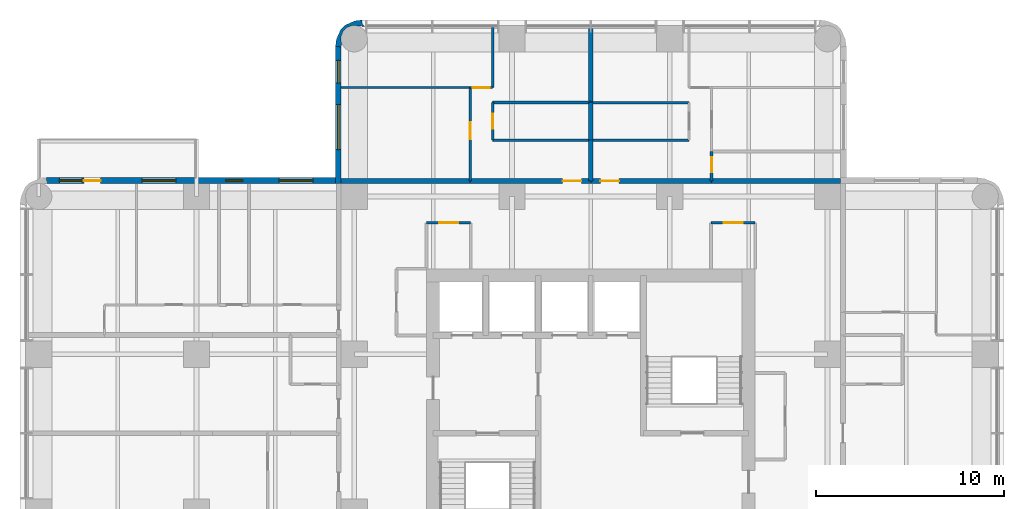
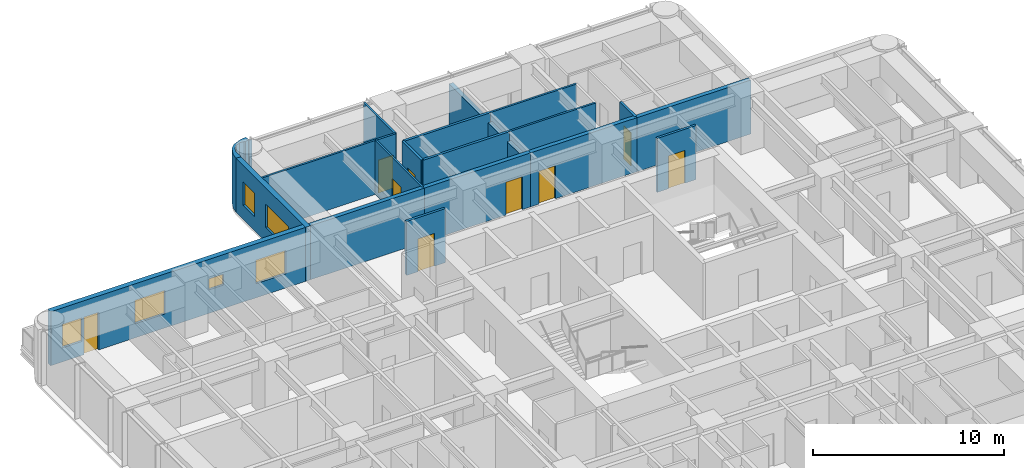
# One storey, part 9 of 11: 22 walls, 9 doors, 6 windows, 15 openings.
"""IFC4 building model written with IfcOpenShell, lengths in metres."""

from ifc_helpers import new_model, si_unit, direction, frame, frame_2d, origin, place, context, subcontext, project, spatial, polyline, rectangle, outline, extrude, material, layer, layer_set, type_object, element, fill, save


model = new_model("IFC4")

# Units and contexts
model_context = context("Model", 3, precision=1e-05, world=origin(), true_north=direction((0.0, 1.0)))
body_context = subcontext(model_context, "Body", "Model", "MODEL_VIEW")
ifc_project = project(units=[si_unit("LENGTHUNIT", "METRE"), si_unit("AREAUNIT", "SQUARE_METRE"), si_unit("VOLUMEUNIT", "CUBIC_METRE"), si_unit("PLANEANGLEUNIT", "RADIAN"), si_unit("MASSUNIT", "GRAM", prefix="KILO")], contexts=[model_context])

# Site, building, storey
site_placement = place(None, origin())
site = spatial("IfcSite", under=ifc_project, at=site_placement, CompositionType="ELEMENT")
building_placement = place(site_placement, origin())
building = spatial("IfcBuilding", under=site, at=building_placement, Name="Torre Alcanfor", CompositionType="ELEMENT")
storey_placement = place(building_placement, frame((0.0, 0.0, 233.699951171875)))
storey = spatial("IfcBuildingStorey", under=building, at=storey_placement, Name="L61", CompositionType="ELEMENT", Elevation=233.699951171875)

# Wall, opening, door
ifc_material_1 = material(Name="Concrete block masonry, hollow blocks NMX-C-404 9 MPa", Category="masonry")
ifc_layer_1 = layer(ifc_material_1, 0.25)
ifc_layer_set_1 = layer_set([ifc_layer_1], Name="Apartment entrance wall 250 EI 60")
wall_type_1 = type_object("IfcWallType", Name="Apartment entrance wall 250 EI 60", PredefinedType="PARTITIONING", material=ifc_layer_set_1)
wall_1_placement = place(storey_placement, frame((22.970947265625, 42.824951171875, 0.0), z_axis=(0.0, 0.0, 1.0), x_axis=(1.0, 0.0, 0.0)))
wall_1 = element("IfcWall", 1, at=wall_1_placement, inside=storey, type_object=wall_type_1, Name="Partition L61-CORR / L61-N1-LIVING", PredefinedType="PARTITIONING", context=body_context, shape_type="SweptSolid", body=[
    extrude(rectangle(XDim=6.428955078125, YDim=0.25, at=frame_2d((3.21435546875, 0.0))), origin(), (0.0, 0.0, 1.0), 3.449951171875),
])
opening_1_placement = place(wall_1_placement, frame((4.928955078125, 0.0, 0.0)))
opening_1 = element("IfcOpeningElement", 2, at=opening_1_placement, cuts=wall_1, Name="Opening D-A1", PredefinedType="OPENING", context=body_context, shape_type="SweptSolid", body=[
    extrude(rectangle(XDim=1.0, YDim=2.10009765625, at=frame_2d((0.5, 1.050048828125))), frame((0.0, 0.135009765625, 0.0), z_axis=(0.0, -1.0, 0.0), x_axis=(1.0, 0.0, 0.0)), (0.0, 0.0, 1.0), 0.27001953125),
])
ifc_material_2 = material(Name="Galvanised steel sheet ASTM A653", Category="steel")
door_type_1 = type_object("IfcDoorType", Name="Apartment entrance door FD60 1000x2100", OperationType="SINGLE_SWING_LEFT", PredefinedType="DOOR", material=ifc_material_2)
door_1_placement = place(opening_1_placement, origin())
door_1 = element("IfcDoor", 3, at=door_1_placement, inside=storey, type_object=door_type_1, Name="Apartment entrance L61-N1", OperationType="SINGLE_SWING_RIGHT", OverallHeight=2.10009765625, OverallWidth=1.0, PredefinedType="DOOR", context=body_context, shape_type="SweptSolid", body=[
    extrude(rectangle(XDim=1.0, YDim=2.10009765625, at=frame_2d((0.5, 1.050048828125))), frame((0.0, 0.02490234375, 0.0), z_axis=(0.0, -1.0, 0.0), x_axis=(1.0, 0.0, 0.0)), (0.0, 0.0, 1.0), 0.050048828125),
])
fill(opening_1, door_1)

# Wall
wall_2_placement = place(storey_placement, frame((16.10009765625, 42.824951171875, 0.0), z_axis=(0.0, 0.0, 1.0), x_axis=(1.0, 0.0, 0.0)))
element("IfcWall", 4, at=wall_2_placement, inside=storey, type_object=wall_type_1, Name="Partition L61-CORR / L61-N1-BED2", PredefinedType="PARTITIONING", context=body_context, shape_type="SweptSolid", body=[
    extrude(rectangle(XDim=6.870849609375, YDim=0.25, at=frame_2d((3.435546875, 0.0))), origin(), (0.0, 0.0, 1.0), 3.449951171875),
])

# Wall, opening, door
wall_3_placement = place(storey_placement, frame((29.39990234375, 42.824951171875, 0.0), z_axis=(0.0, 0.0, 1.0), x_axis=(1.0, 0.0, 0.0)))
wall_3 = element("IfcWall", 5, at=wall_3_placement, inside=storey, type_object=wall_type_1, Name="Partition L61-CORR / L61-N2-LIVING", PredefinedType="PARTITIONING", context=body_context, shape_type="SweptSolid", body=[
    extrude(rectangle(XDim=6.42919921875, YDim=0.25, at=frame_2d((3.214599609375, 0.0))), origin(), (0.0, 0.0, 1.0), 3.449951171875),
])
opening_2_placement = place(wall_3_placement, frame((0.5, 0.0, 0.0)))
opening_2 = element("IfcOpeningElement", 6, at=opening_2_placement, cuts=wall_3, Name="Opening D-A1", PredefinedType="OPENING", context=body_context, shape_type="SweptSolid", body=[
    extrude(rectangle(XDim=1.0, YDim=2.10009765625, at=frame_2d((0.5, 1.050048828125))), frame((0.0, 0.135009765625, 0.0), z_axis=(0.0, -1.0, 0.0), x_axis=(1.0, 0.0, 0.0)), (0.0, 0.0, 1.0), 0.27001953125),
])
door_2_placement = place(opening_2_placement, origin())
door_2 = element("IfcDoor", 7, at=door_2_placement, inside=storey, type_object=door_type_1, Name="Apartment entrance L61-N2", OperationType="SINGLE_SWING_LEFT", OverallHeight=2.10009765625, OverallWidth=1.0, PredefinedType="DOOR", context=body_context, shape_type="SweptSolid", body=[
    extrude(rectangle(XDim=1.0, YDim=2.10009765625, at=frame_2d((0.5, 1.050048828125))), frame((0.0, 0.02490234375, 0.0), z_axis=(0.0, -1.0, 0.0), x_axis=(1.0, 0.0, 0.0)), (0.0, 0.0, 1.0), 0.050048828125),
])
fill(opening_2, door_2)

# Wall
wall_4_placement = place(storey_placement, frame((35.8291015625, 42.824951171875, 0.0), z_axis=(0.0, 0.0, 1.0), x_axis=(1.0, 0.0, 0.0)))
element("IfcWall", 8, at=wall_4_placement, inside=storey, type_object=wall_type_1, Name="Partition L61-CORR / L61-N2-BATH", PredefinedType="PARTITIONING", context=body_context, shape_type="SweptSolid", body=[
    extrude(rectangle(XDim=6.870849609375, YDim=0.25, at=frame_2d((3.435546875, 0.0))), origin(), (0.0, 0.0, 1.0), 3.449951171875),
])

# Wall, opening, door
ifc_material_3 = material(Name="Gypsum board on steel studs", Category="steel")
ifc_layer_2 = layer(ifc_material_3, 0.1201171875)
ifc_layer_set_2 = layer_set([ifc_layer_2], Name="Apartment partition 120")
wall_type_2 = type_object("IfcWallType", Name="Apartment partition 120", PredefinedType="PARTITIONING", material=ifc_layer_set_2)
wall_5_placement = place(storey_placement, frame((22.970947265625, 42.824951171875, 0.0), z_axis=(0.0, 0.0, 1.0), x_axis=(0.0, 1.0, 0.0)))
wall_5 = element("IfcWall", 9, at=wall_5_placement, inside=storey, type_object=wall_type_2, Name="Partition L61-N1-LIVING / L61-N1-BED2", PredefinedType="PARTITIONING", context=body_context, shape_type="SweptSolid", body=[
    extrude(rectangle(XDim=4.97509765625, YDim=0.1201171875, at=frame_2d((2.487548828125, 0.0))), origin(), (0.0, 0.0, 1.0), 3.449951171875),
])
opening_3_placement = place(wall_5_placement, frame((2.22509765625, 0.0, 0.0)))
opening_3 = element("IfcOpeningElement", 10, at=opening_3_placement, cuts=wall_5, Name="Opening D-R1", PredefinedType="OPENING", context=body_context, shape_type="SweptSolid", body=[
    extrude(rectangle(XDim=0.89990234375, YDim=2.10009765625, at=frame_2d((0.449951171875, 1.050048828125))), frame((0.0, 0.070068359375, 0.0), z_axis=(0.0, -1.0, 0.0), x_axis=(1.0, 0.0, 0.0)), (0.0, 0.0, 1.0), 0.14013671875),
])
ifc_material_4 = material(Name="Timber", Category="wood")
door_type_2 = type_object("IfcDoorType", Name="Internal door 900x2100", OperationType="SINGLE_SWING_LEFT", PredefinedType="DOOR", material=ifc_material_4)
door_3_placement = place(opening_3_placement, origin())
door_3 = element("IfcDoor", 11, at=door_3_placement, inside=storey, type_object=door_type_2, Name="Door L61-N1 bed2", OperationType="SINGLE_SWING_RIGHT", OverallHeight=2.10009765625, OverallWidth=0.89990234375, PredefinedType="DOOR", context=body_context, shape_type="SweptSolid", body=[
    extrude(rectangle(XDim=0.89990234375, YDim=2.10009765625, at=frame_2d((0.449951171875, 1.050048828125))), frame((0.0, 0.02490234375, 0.0), z_axis=(0.0, -1.0, 0.0), x_axis=(1.0, 0.0, 0.0)), (0.0, 0.0, 1.0), 0.050048828125),
])
fill(opening_3, door_3)

wall_6_placement = place(storey_placement, frame((22.970947265625, 47.800048828125, 0.0), z_axis=(0.0, 0.0, 1.0), x_axis=(1.0, 0.0, 0.0)))
wall_6 = element("IfcWall", 12, at=wall_6_placement, inside=storey, type_object=wall_type_2, Name="Partition L61-N1-LIVING / L61-N1-MASTER", PredefinedType="PARTITIONING", context=body_context, shape_type="SweptSolid", body=[
    extrude(rectangle(XDim=1.199951171875, YDim=0.1201171875, at=frame_2d((0.60009765625, 0.0))), origin(), (0.0, 0.0, 1.0), 3.449951171875),
])
opening_4_placement = place(wall_6_placement, frame((0.14892578125, 0.0, 0.0)))
opening_4 = element("IfcOpeningElement", 13, at=opening_4_placement, cuts=wall_6, Name="Opening D-R1", PredefinedType="OPENING", context=body_context, shape_type="SweptSolid", body=[
    extrude(rectangle(XDim=0.89990234375, YDim=2.10009765625, at=frame_2d((0.449951171875, 1.050048828125))), frame((0.0, 0.070068359375, 0.0), z_axis=(0.0, -1.0, 0.0), x_axis=(1.0, 0.0, 0.0)), (0.0, 0.0, 1.0), 0.14013671875),
])
door_4_placement = place(opening_4_placement, origin())
door_4 = element("IfcDoor", 14, at=door_4_placement, inside=storey, type_object=door_type_2, Name="Door L61-N1 master", OperationType="SINGLE_SWING_RIGHT", OverallHeight=2.10009765625, OverallWidth=0.89990234375, PredefinedType="DOOR", context=body_context, shape_type="SweptSolid", body=[
    extrude(rectangle(XDim=0.89990234375, YDim=2.10009765625, at=frame_2d((0.449951171875, 1.050048828125))), frame((0.0, 0.02490234375, 0.0), z_axis=(0.0, -1.0, 0.0), x_axis=(1.0, 0.0, 0.0)), (0.0, 0.0, 1.0), 0.050048828125),
])
fill(opening_4, door_4)

# Walls
wall_7_placement = place(storey_placement, frame((24.1708984375, 47.800048828125, 0.0), z_axis=(0.0, 0.0, 1.0), x_axis=(0.0, 1.0, 0.0)))
element("IfcWall", 15, at=wall_7_placement, inside=storey, type_object=wall_type_2, Name="Partition L61-N1-LIVING / L61-N1-MASTER", PredefinedType="PARTITIONING", context=body_context, shape_type="SweptSolid", body=[
    extrude(rectangle(XDim=3.25, YDim=0.1201171875, at=frame_2d((1.625, 0.0))), origin(), (0.0, 0.0, 1.0), 3.449951171875),
])
wall_8_placement = place(storey_placement, frame((22.970947265625, 47.800048828125, 0.0), z_axis=(0.0, 0.0, 1.0), x_axis=(-1.0, 0.0, 0.0)))
element("IfcWall", 16, at=wall_8_placement, inside=storey, type_object=wall_type_2, Name="Partition L61-N1-BED2 / L61-N1-MASTER", PredefinedType="PARTITIONING", context=body_context, shape_type="SweptSolid", body=[
    extrude(rectangle(XDim=6.870849609375, YDim=0.1201171875, at=frame_2d((3.435546875, 0.0))), origin(), (0.0, 0.0, 1.0), 3.449951171875),
])
for number, where, z_axis, x_axis, name in (
    (17, (29.39990234375, 47.0, 0.0), (0.0, 0.0, 1.0), (1.0, 0.0, 0.0), "Partition L61-N2-KITCHEN / L61-N2-LIVING"),
    (18, (34.62890625, 45.0, 0.0), (0.0, 0.0, 1.0), (-1.0, 0.0, 0.0), "Partition L61-N2-KITCHEN / L61-N2-LIVING"),
):
    element("IfcWall", number, at=place(storey_placement, frame(where, z_axis=z_axis, x_axis=x_axis)), inside=storey, type_object=wall_type_2, Name=name, PredefinedType="PARTITIONING", context=body_context, shape_type="SweptSolid", body=[
        extrude(rectangle(XDim=5.22900390625, YDim=0.1201171875, at=frame_2d((2.614501953125, 0.0))), origin(), (0.0, 0.0, 1.0), 3.449951171875),
    ])

# Wall, openings, door, windows
ifc_material_5 = material(Name="Limestone cladding", Category="masonry")
ifc_layer_3 = layer(ifc_material_5, 0.0400390625, Name="Facing")
ifc_material_6 = material(Name="Ventilated air cavity")
ifc_layer_4 = layer(ifc_material_6, 0.02001953125, ventilated=True, Name="Ventilated joint")
ifc_material_7 = material(Name="Mineral wool insulation", Category="insulation")
ifc_layer_5 = layer(ifc_material_7, 0.10009765625, Name="Insulation")
ifc_material_8 = material(Name="Concrete f'c 35 MPa", Category="concrete")
ifc_layer_6 = layer(ifc_material_8, 0.139892578125, Name="Backing")
ifc_layer_set_3 = layer_set([ifc_layer_3, ifc_layer_4, ifc_layer_5, ifc_layer_6], Name="External wall stone-clad 300")
wall_type_3 = type_object("IfcWallType", Name="External wall stone-clad 300", PredefinedType="SOLIDWALL", material=ifc_layer_set_3)
wall_9_placement = place(storey_placement, frame((15.800048828125, 42.85009765625, 0.0), z_axis=(0.0, 0.0, 1.0), x_axis=(-1.0, 0.0, 0.0)))
wall_9 = element("IfcWall", 19, at=wall_9_placement, inside=storey, type_object=wall_type_3, Name="External wall L61 1", PredefinedType="SOLIDWALL", context=body_context, shape_type="SweptSolid", body=[
    extrude(rectangle(XDim=15.400146484375, YDim=0.300048828125, at=frame_2d((7.7001953125, 0.0))), origin(), (0.0, 0.0, 1.0), 3.449951171875),
])
opening_5_placement = place(wall_9_placement, frame((1.199951171875, 0.0, 0.89990234375)))
opening_5 = element("IfcOpeningElement", 20, at=opening_5_placement, cuts=wall_9, Name="Opening W2", PredefinedType="OPENING", context=body_context, shape_type="SweptSolid", body=[
    extrude(rectangle(XDim=1.800048828125, YDim=1.5, at=frame_2d((0.89990234375, 0.75))), frame((0.0, 0.159912109375, 0.0), z_axis=(0.0, -1.0, 0.0), x_axis=(1.0, 0.0, 0.0)), (0.0, 0.0, 1.0), 0.320068359375),
])
opening_6_placement = place(wall_9_placement, frame((4.949951171875, 0.0, 1.5)))
opening_6 = element("IfcOpeningElement", 21, at=opening_6_placement, cuts=wall_9, Name="Opening W3", PredefinedType="OPENING", context=body_context, shape_type="SweptSolid", body=[
    extrude(rectangle(XDim=0.89990234375, YDim=0.699951171875, at=frame_2d((0.449951171875, 0.35009765625))), frame((0.0, 0.159912109375, 0.0), z_axis=(0.0, -1.0, 0.0), x_axis=(1.0, 0.0, 0.0)), (0.0, 0.0, 1.0), 0.320068359375),
])
opening_7_placement = place(wall_9_placement, frame((8.5, 0.0, 0.89990234375)))
opening_7 = element("IfcOpeningElement", 22, at=opening_7_placement, cuts=wall_9, Name="Opening W2", PredefinedType="OPENING", context=body_context, shape_type="SweptSolid", body=[
    extrude(rectangle(XDim=1.800048828125, YDim=1.5, at=frame_2d((0.89990234375, 0.75))), frame((0.0, 0.159912109375, 0.0), z_axis=(0.0, -1.0, 0.0), x_axis=(1.0, 0.0, 0.0)), (0.0, 0.0, 1.0), 0.320068359375),
])
opening_8_placement = place(wall_9_placement, frame((12.5, 0.0, 0.0)))
opening_8 = element("IfcOpeningElement", 23, at=opening_8_placement, cuts=wall_9, Name="Opening D-B1", PredefinedType="OPENING", context=body_context, shape_type="SweptSolid", body=[
    extrude(rectangle(XDim=0.89990234375, YDim=2.39990234375, at=frame_2d((0.449951171875, 1.199951171875))), frame((0.0, 0.159912109375, 0.0), z_axis=(0.0, -1.0, 0.0), x_axis=(1.0, 0.0, 0.0)), (0.0, 0.0, 1.0), 0.320068359375),
])
opening_9_placement = place(wall_9_placement, frame((13.5, 0.0, 0.89990234375)))
opening_9 = element("IfcOpeningElement", 24, at=opening_9_placement, cuts=wall_9, Name="Opening W4", PredefinedType="OPENING", context=body_context, shape_type="SweptSolid", body=[
    extrude(rectangle(XDim=1.199951171875, YDim=1.5, at=frame_2d((0.60009765625, 0.75))), frame((0.0, 0.159912109375, 0.0), z_axis=(0.0, -1.0, 0.0), x_axis=(1.0, 0.0, 0.0)), (0.0, 0.0, 1.0), 0.320068359375),
])
ifc_material_9 = material(Name="Aluminium and glass", Category="aluminium")
door_type_3 = type_object("IfcDoorType", Name="Balcony door glazed 900x2400", OperationType="SINGLE_SWING_LEFT", PredefinedType="DOOR", material=ifc_material_9)
door_5_placement = place(opening_8_placement, origin())
door_5 = element("IfcDoor", 25, at=door_5_placement, inside=storey, type_object=door_type_3, Name="Balcony door L61-W2", OperationType="SINGLE_SWING_LEFT", OverallHeight=2.39990234375, OverallWidth=0.89990234375, PredefinedType="DOOR", context=body_context, shape_type="SweptSolid", body=[
    extrude(rectangle(XDim=0.89990234375, YDim=2.39990234375, at=frame_2d((0.449951171875, 1.199951171875))), frame((0.0, 0.02490234375, 0.0), z_axis=(0.0, -1.0, 0.0), x_axis=(1.0, 0.0, 0.0)), (0.0, 0.0, 1.0), 0.050048828125),
])
fill(opening_8, door_5)
ifc_material_10 = material(Name="Aluminium frame with clear double glazing", Category="aluminium")
window_type_1 = type_object("IfcWindowType", Name="Window bathroom 900x700", PartitioningType="SINGLE_PANEL", PredefinedType="WINDOW", material=ifc_material_10)
window_1_placement = place(opening_6_placement, origin())
window_1 = element("IfcWindow", 26, at=window_1_placement, inside=storey, type_object=window_type_1, Name="Window W3 L61-W2", OverallHeight=0.699951171875, OverallWidth=0.89990234375, PartitioningType="SINGLE_PANEL", PredefinedType="WINDOW", context=body_context, shape_type="SweptSolid", body=[
    extrude(rectangle(XDim=0.89990234375, YDim=0.699951171875, at=frame_2d((0.449951171875, 0.35009765625))), frame((0.0, 0.030029296875, 0.0), z_axis=(0.0, -1.0, 0.0), x_axis=(1.0, 0.0, 0.0)), (0.0, 0.0, 1.0), 0.06005859375),
])
fill(opening_6, window_1)
ifc_material_11 = material(Name="Aluminium frame with clear double glazing", Category="aluminium")
window_type_2 = type_object("IfcWindowType", Name="Window bedroom 1200x1500", PartitioningType="SINGLE_PANEL", PredefinedType="WINDOW", material=ifc_material_11)
window_2_placement = place(opening_9_placement, origin())
window_2 = element("IfcWindow", 27, at=window_2_placement, inside=storey, type_object=window_type_2, Name="Window W4 L61-W2", OverallHeight=1.5, OverallWidth=1.199951171875, PartitioningType="SINGLE_PANEL", PredefinedType="WINDOW", context=body_context, shape_type="SweptSolid", body=[
    extrude(rectangle(XDim=1.199951171875, YDim=1.5, at=frame_2d((0.60009765625, 0.75))), frame((0.0, 0.030029296875, 0.0), z_axis=(0.0, -1.0, 0.0), x_axis=(1.0, 0.0, 0.0)), (0.0, 0.0, 1.0), 0.06005859375),
])
fill(opening_9, window_2)
ifc_material_12 = material(Name="Aluminium frame with clear double glazing", Category="aluminium")
window_type_3 = type_object("IfcWindowType", Name="Window bedroom 1800x1500", PartitioningType="SINGLE_PANEL", PredefinedType="WINDOW", material=ifc_material_12)
window_3_placement = place(opening_5_placement, origin())
window_3 = element("IfcWindow", 28, at=window_3_placement, inside=storey, type_object=window_type_3, Name="Window W2 L61-W2", OverallHeight=1.5, OverallWidth=1.800048828125, PartitioningType="SINGLE_PANEL", PredefinedType="WINDOW", context=body_context, shape_type="SweptSolid", body=[
    extrude(rectangle(XDim=1.800048828125, YDim=1.5, at=frame_2d((0.89990234375, 0.75))), frame((0.0, 0.030029296875, 0.0), z_axis=(0.0, -1.0, 0.0), x_axis=(1.0, 0.0, 0.0)), (0.0, 0.0, 1.0), 0.06005859375),
])
fill(opening_5, window_3)
window_4_placement = place(opening_7_placement, origin())
window_4 = element("IfcWindow", 29, at=window_4_placement, inside=storey, type_object=window_type_3, Name="Window W2 L61-W2", OverallHeight=1.5, OverallWidth=1.800048828125, PartitioningType="SINGLE_PANEL", PredefinedType="WINDOW", context=body_context, shape_type="SweptSolid", body=[
    extrude(rectangle(XDim=1.800048828125, YDim=1.5, at=frame_2d((0.89990234375, 0.75))), frame((0.0, 0.030029296875, 0.0), z_axis=(0.0, -1.0, 0.0), x_axis=(1.0, 0.0, 0.0)), (0.0, 0.0, 1.0), 0.06005859375),
])
fill(opening_7, window_4)

# Wall, openings, windows
wall_10_placement = place(storey_placement, frame((15.949951171875, 50.0, 0.0), z_axis=(0.0, 0.0, 1.0), x_axis=(0.0, -1.0, 0.0)))
wall_10 = element("IfcWall", 30, at=wall_10_placement, inside=storey, type_object=wall_type_3, Name="External wall L61 12", PredefinedType="SOLIDWALL", context=body_context, shape_type="SweptSolid", body=[
    extrude(rectangle(XDim=7.300048828125, YDim=0.300048828125, at=frame_2d((3.64990234375, 0.0))), origin(), (0.0, 0.0, 1.0), 3.449951171875),
])
opening_10_placement = place(wall_10_placement, frame((3.10009765625, 0.0, 0.89990234375)))
opening_10 = element("IfcOpeningElement", 31, at=opening_10_placement, cuts=wall_10, Name="Opening W1", PredefinedType="OPENING", context=body_context, shape_type="SweptSolid", body=[
    extrude(rectangle(XDim=2.39990234375, YDim=1.5, at=frame_2d((1.199951171875, 0.75))), frame((0.0, 0.159912109375, 0.0), z_axis=(0.0, -1.0, 0.0), x_axis=(1.0, 0.0, 0.0)), (0.0, 0.0, 1.0), 0.320068359375),
])
opening_11_placement = place(wall_10_placement, frame((0.75, 0.0, 0.89990234375)))
opening_11 = element("IfcOpeningElement", 32, at=opening_11_placement, cuts=wall_10, Name="Opening W4", PredefinedType="OPENING", context=body_context, shape_type="SweptSolid", body=[
    extrude(rectangle(XDim=1.199951171875, YDim=1.5, at=frame_2d((0.60009765625, 0.75))), frame((0.0, 0.159912109375, 0.0), z_axis=(0.0, -1.0, 0.0), x_axis=(1.0, 0.0, 0.0)), (0.0, 0.0, 1.0), 0.320068359375),
])
window_5_placement = place(opening_11_placement, origin())
window_5 = element("IfcWindow", 33, at=window_5_placement, inside=storey, type_object=window_type_2, Name="Window W4 L61-N1", OverallHeight=1.5, OverallWidth=1.199951171875, PartitioningType="SINGLE_PANEL", PredefinedType="WINDOW", context=body_context, shape_type="SweptSolid", body=[
    extrude(rectangle(XDim=1.199951171875, YDim=1.5, at=frame_2d((0.60009765625, 0.75))), frame((0.0, 0.030029296875, 0.0), z_axis=(0.0, -1.0, 0.0), x_axis=(1.0, 0.0, 0.0)), (0.0, 0.0, 1.0), 0.06005859375),
])
fill(opening_11, window_5)
ifc_material_13 = material(Name="Aluminium frame with clear double glazing", Category="aluminium")
window_type_4 = type_object("IfcWindowType", Name="Window bedroom 2400x1500", PartitioningType="SINGLE_PANEL", PredefinedType="WINDOW", material=ifc_material_13)
window_6_placement = place(opening_10_placement, origin())
window_6 = element("IfcWindow", 34, at=window_6_placement, inside=storey, type_object=window_type_4, Name="Window W1 L61-N1", OverallHeight=1.5, OverallWidth=2.39990234375, PartitioningType="SINGLE_PANEL", PredefinedType="WINDOW", context=body_context, shape_type="SweptSolid", body=[
    extrude(rectangle(XDim=2.39990234375, YDim=1.5, at=frame_2d((1.199951171875, 0.75))), frame((0.0, 0.030029296875, 0.0), z_axis=(0.0, -1.0, 0.0), x_axis=(1.0, 0.0, 0.0)), (0.0, 0.0, 1.0), 0.06005859375),
])
fill(opening_10, window_6)

# Walls
ifc_material_14 = material(Name="Concrete block masonry, hollow blocks NMX-C-404 9 MPa", Category="masonry")
ifc_layer_7 = layer(ifc_material_14, 0.25)
ifc_layer_set_4 = layer_set([ifc_layer_7], Name="Party wall 250 EI 60")
wall_type_4 = type_object("IfcWallType", Name="Party wall 250 EI 60", PredefinedType="PARTITIONING", material=ifc_layer_set_4)
wall_11_placement = place(storey_placement, frame((29.39990234375, 45.0, 0.0), z_axis=(0.0, 0.0, 1.0), x_axis=(0.0, 1.0, 0.0)))
element("IfcWall", 35, at=wall_11_placement, inside=storey, type_object=wall_type_4, Name="Partition L61-N1-BATH / L61-N2-KITCHEN", PredefinedType="PARTITIONING", context=body_context, shape_type="SweptSolid", body=[
    extrude(rectangle(XDim=2.0, YDim=0.25, at=frame_2d((1.0, 0.0))), origin(), (0.0, 0.0, 1.0), 2.84814453125),
])
wall_12_placement = place(storey_placement, frame((29.39990234375, 45.0, 0.0), z_axis=(0.0, 0.0, 1.0), x_axis=(0.0, -1.0, 0.0)))
element("IfcWall", 36, at=wall_12_placement, inside=storey, type_object=wall_type_4, Name="Partition L61-N1-LIVING / L61-N2-LIVING", PredefinedType="PARTITIONING", context=body_context, shape_type="SweptSolid", body=[
    extrude(rectangle(XDim=2.175048828125, YDim=0.25, at=frame_2d((1.08740234375, 0.0))), origin(), (0.0, 0.0, 1.0), 2.84814453125),
])
wall_13_placement = place(storey_placement, frame((29.39990234375, 51.050048828125, 0.0), z_axis=(0.0, 0.0, 1.0), x_axis=(0.0, -1.0, 0.0)))
element("IfcWall", 37, at=wall_13_placement, inside=storey, type_object=wall_type_4, Name="Partition L61-N1-LIVING / L61-N2-LIVING", PredefinedType="PARTITIONING", context=body_context, shape_type="SweptSolid", body=[
    extrude(rectangle(XDim=4.050048828125, YDim=0.25, at=frame_2d((2.02490234375, 0.0))), origin(), (0.0, 0.0, 1.0), 2.84814453125),
])

# Wall, opening, door
ifc_material_15 = material(Name="Concrete block masonry, hollow blocks NMX-C-404 9 MPa", Category="masonry")
ifc_layer_8 = layer(ifc_material_15, 0.14990234375)
ifc_layer_set_5 = layer_set([ifc_layer_8], Name="Residents' room partition 150")
wall_type_5 = type_object("IfcWallType", Name="Residents' room partition 150", PredefinedType="PARTITIONING", material=ifc_layer_set_5)
wall_14_placement = place(storey_placement, frame((23.0, 40.60009765625, 0.0), z_axis=(0.0, 0.0, 1.0), x_axis=(-1.0, 0.0, 0.0)))
wall_14 = element("IfcWall", 38, at=wall_14_placement, inside=storey, type_object=wall_type_5, Name="Partition L61-CORR / L61-G01", PredefinedType="PARTITIONING", context=body_context, shape_type="SweptSolid", body=[
    extrude(rectangle(XDim=2.35009765625, YDim=0.14990234375, at=frame_2d((1.175048828125, 0.0))), origin(), (0.0, 0.0, 1.0), 3.449951171875),
])
opening_12_placement = place(wall_14_placement, frame((0.675048828125, 0.0, 0.0)))
opening_12 = element("IfcOpeningElement", 39, at=opening_12_placement, cuts=wall_14, Name="Opening D-M1", PredefinedType="OPENING", context=body_context, shape_type="SweptSolid", body=[
    extrude(rectangle(XDim=1.0, YDim=2.10009765625, at=frame_2d((0.5, 1.050048828125))), frame((0.0, 0.0849609375, 0.0), z_axis=(0.0, -1.0, 0.0), x_axis=(1.0, 0.0, 0.0)), (0.0, 0.0, 1.0), 0.169921875),
])
ifc_material_16 = material(Name="Timber", Category="wood")
door_type_4 = type_object("IfcDoorType", Name="Residents' room door 1000x2100", OperationType="SINGLE_SWING_LEFT", PredefinedType="DOOR", material=ifc_material_16)
door_6_placement = place(opening_12_placement, origin())
door_6 = element("IfcDoor", 40, at=door_6_placement, inside=storey, type_object=door_type_4, Name="Door L61-G01 parcel room", OperationType="SINGLE_SWING_LEFT", OverallHeight=2.10009765625, OverallWidth=1.0, PredefinedType="DOOR", context=body_context, shape_type="SweptSolid", body=[
    extrude(rectangle(XDim=1.0, YDim=2.10009765625, at=frame_2d((0.5, 1.050048828125))), frame((0.0, 0.02490234375, 0.0), z_axis=(0.0, -1.0, 0.0), x_axis=(1.0, 0.0, 0.0)), (0.0, 0.0, 1.0), 0.050048828125),
])
fill(opening_12, door_6)

wall_15_placement = place(storey_placement, frame((38.14990234375, 40.60009765625, 0.0), z_axis=(0.0, 0.0, 1.0), x_axis=(-1.0, 0.0, 0.0)))
wall_15 = element("IfcWall", 41, at=wall_15_placement, inside=storey, type_object=wall_type_5, Name="Partition L61-CORR / L61-G02", PredefinedType="PARTITIONING", context=body_context, shape_type="SweptSolid", body=[
    extrude(rectangle(XDim=2.349853515625, YDim=0.14990234375, at=frame_2d((1.1748046875, 0.0))), origin(), (0.0, 0.0, 1.0), 3.449951171875),
])
opening_13_placement = place(wall_15_placement, frame((0.675048828125, 0.0, 0.0)))
opening_13 = element("IfcOpeningElement", 42, at=opening_13_placement, cuts=wall_15, Name="Opening D-M1", PredefinedType="OPENING", context=body_context, shape_type="SweptSolid", body=[
    extrude(rectangle(XDim=1.0, YDim=2.10009765625, at=frame_2d((0.5, 1.050048828125))), frame((0.0, 0.0849609375, 0.0), z_axis=(0.0, -1.0, 0.0), x_axis=(1.0, 0.0, 0.0)), (0.0, 0.0, 1.0), 0.169921875),
])
door_7_placement = place(opening_13_placement, origin())
door_7 = element("IfcDoor", 43, at=door_7_placement, inside=storey, type_object=door_type_4, Name="Door L61-G02 parcel room", OperationType="SINGLE_SWING_LEFT", OverallHeight=2.10009765625, OverallWidth=1.0, PredefinedType="DOOR", context=body_context, shape_type="SweptSolid", body=[
    extrude(rectangle(XDim=1.0, YDim=2.10009765625, at=frame_2d((0.5, 1.050048828125))), frame((0.0, 0.02490234375, 0.0), z_axis=(0.0, -1.0, 0.0), x_axis=(1.0, 0.0, 0.0)), (0.0, 0.0, 1.0), 0.050048828125),
])
fill(opening_13, door_7)

# Walls
ifc_layer_9 = layer(ifc_material_5, 0.0400390625, Name="Facing")
ifc_layer_10 = layer(ifc_material_6, 0.02001953125, ventilated=True, Name="Ventilated joint")
ifc_layer_11 = layer(ifc_material_7, 0.10009765625, Name="Insulation")
ifc_layer_12 = layer(ifc_material_8, 0.139892578125, Name="Backing")
ifc_layer_set_6 = layer_set([ifc_layer_9, ifc_layer_10, ifc_layer_11, ifc_layer_12], Name="Rounded corner pier stone-clad 300")
wall_type_6 = type_object("IfcWallType", Name="Rounded corner pier stone-clad 300", PredefinedType="SOLIDWALL", material=ifc_layer_set_6)
wall_16_placement = place(storey_placement, frame((17.312325495, 50.98815184, 0.0), z_axis=(0.0, 0.0, 1.0), x_axis=(-0.439933741929, 0.898030234854, 0.0)))
element("IfcWall", 44, at=wall_16_placement, inside=storey, type_object=wall_type_6, Name="Corner pier L61 20", PredefinedType="SOLIDWALL", context=body_context, shape_type="SweptSolid", body=[
    extrude(outline(polyline([(0.1377143835604198, -0.039385181817258766), (0.1818364553516057, -0.0003747232930663008), (0.4192016580531099, -0.08022740006820503), (0.5358388106960636, 0.26607727478531357), (0.5587531272282371, 0.6308374918089354), (0.5545485345760868, 0.6511120475500328), (0.5663705271242188, 0.8356242584424797), (0.45553712270786306, 1.1593357577081085), (0.33310540567156155, 1.2978817433582523), (0.3240010425966217, 1.316478699637952), (0.08232775629815992, 1.5906485457460864), (-0.22208869605726766, 1.7927915068834772), (-0.3896080971502234, 1.5407383104861123), (-0.3718491984629172, 1.532038448890355), (-0.1945577897528935, 1.41446516530517), (-0.1197255547664915, 1.4096136894189937), (0.13065299215824444, 1.286956381488686), (0.3152401217440383, 1.07772560900137), (0.4057142184300525, 0.8140105545565798), (0.3881041552353981, 0.5355508442955765), (0.26544684730509027, 0.28517229737084054), (0.20907264065944553, 0.23558040158200633), (0.14755628183616776, 0.052848260637269044), (0.10502262325175554, 0.07368496618760154), (0.031879342428165675, -0.0756213301834538), (0.1377143835604198, -0.039385181817258766)])), origin(), (0.0, 0.0, 1.0), 3.449951171875),
])
ifc_material_17 = material(Name="Cement board on steel studs", Category="steel")
ifc_layer_13 = layer(ifc_material_17, 0.14990234375)
ifc_layer_set_7 = layer_set([ifc_layer_13], Name="Wet area partition 150")
wall_type_7 = type_object("IfcWallType", Name="Wet area partition 150", PredefinedType="PARTITIONING", material=ifc_layer_set_7)
wall_17_placement = place(storey_placement, frame((29.39990234375, 47.0, 0.0), z_axis=(0.0, 0.0, 1.0), x_axis=(-1.0, 0.0, 0.0)))
element("IfcWall", 45, at=wall_17_placement, inside=storey, type_object=wall_type_7, Name="Partition L61-N1-BATH / L61-N1-LIVING", PredefinedType="PARTITIONING", context=body_context, shape_type="SweptSolid", body=[
    extrude(rectangle(XDim=5.22900390625, YDim=0.14990234375, at=frame_2d((2.614501953125, 0.0))), origin(), (0.0, 0.0, 1.0), 3.449951171875),
])

# Wall, opening, door
wall_18_placement = place(storey_placement, frame((24.1708984375, 47.0, 0.0), z_axis=(0.0, 0.0, 1.0), x_axis=(0.0, -1.0, 0.0)))
wall_18 = element("IfcWall", 46, at=wall_18_placement, inside=storey, type_object=wall_type_7, Name="Partition L61-N1-BATH / L61-N1-LIVING", PredefinedType="PARTITIONING", context=body_context, shape_type="SweptSolid", body=[
    extrude(rectangle(XDim=2.0, YDim=0.14990234375, at=frame_2d((1.0, 0.0))), origin(), (0.0, 0.0, 1.0), 3.449951171875),
])
opening_14_placement = place(wall_18_placement, frame((0.60009765625, 0.0, 0.0)))
opening_14 = element("IfcOpeningElement", 47, at=opening_14_placement, cuts=wall_18, Name="Opening D-R2", PredefinedType="OPENING", context=body_context, shape_type="SweptSolid", body=[
    extrude(rectangle(XDim=0.800048828125, YDim=2.10009765625, at=frame_2d((0.39990234375, 1.050048828125))), frame((0.0, 0.0849609375, 0.0), z_axis=(0.0, -1.0, 0.0), x_axis=(1.0, 0.0, 0.0)), (0.0, 0.0, 1.0), 0.169921875),
])
ifc_material_18 = material(Name="Timber", Category="wood")
door_type_5 = type_object("IfcDoorType", Name="Bathroom door 800x2100", OperationType="SINGLE_SWING_LEFT", PredefinedType="DOOR", material=ifc_material_18)
door_8_placement = place(opening_14_placement, origin())
door_8 = element("IfcDoor", 48, at=door_8_placement, inside=storey, type_object=door_type_5, Name="Door L61-N1 bath", OperationType="SINGLE_SWING_LEFT", OverallHeight=2.10009765625, OverallWidth=0.800048828125, PredefinedType="DOOR", context=body_context, shape_type="SweptSolid", body=[
    extrude(rectangle(XDim=0.800048828125, YDim=2.10009765625, at=frame_2d((0.39990234375, 1.050048828125))), frame((0.0, 0.02490234375, 0.0), z_axis=(0.0, -1.0, 0.0), x_axis=(1.0, 0.0, 0.0)), (0.0, 0.0, 1.0), 0.050048828125),
])
fill(opening_14, door_8)

# Wall
wall_19_placement = place(storey_placement, frame((24.1708984375, 45.0, 0.0), z_axis=(0.0, 0.0, 1.0), x_axis=(1.0, 0.0, 0.0)))
element("IfcWall", 49, at=wall_19_placement, inside=storey, type_object=wall_type_7, Name="Partition L61-N1-BATH / L61-N1-LIVING", PredefinedType="PARTITIONING", context=body_context, shape_type="SweptSolid", body=[
    extrude(rectangle(XDim=5.22900390625, YDim=0.14990234375, at=frame_2d((2.614501953125, 0.0))), origin(), (0.0, 0.0, 1.0), 3.449951171875),
])

# Wall, opening, door
wall_20_placement = place(storey_placement, frame((35.8291015625, 44.39990234375, 0.0), z_axis=(0.0, 0.0, 1.0), x_axis=(0.0, -1.0, 0.0)))
wall_20 = element("IfcWall", 50, at=wall_20_placement, inside=storey, type_object=wall_type_7, Name="Partition L61-N2-LIVING / L61-N2-BATH", PredefinedType="PARTITIONING", context=body_context, shape_type="SweptSolid", body=[
    extrude(rectangle(XDim=1.574951171875, YDim=0.14990234375, at=frame_2d((0.78759765625, 0.0))), origin(), (0.0, 0.0, 1.0), 3.449951171875),
])
opening_15_placement = place(wall_20_placement, frame((0.300048828125, 0.0, 0.0)))
opening_15 = element("IfcOpeningElement", 51, at=opening_15_placement, cuts=wall_20, Name="Opening D-R2", PredefinedType="OPENING", context=body_context, shape_type="SweptSolid", body=[
    extrude(rectangle(XDim=0.800048828125, YDim=2.10009765625, at=frame_2d((0.39990234375, 1.050048828125))), frame((0.0, 0.0849609375, 0.0), z_axis=(0.0, -1.0, 0.0), x_axis=(1.0, 0.0, 0.0)), (0.0, 0.0, 1.0), 0.169921875),
])
door_9_placement = place(opening_15_placement, origin())
door_9 = element("IfcDoor", 52, at=door_9_placement, inside=storey, type_object=door_type_5, Name="Door L61-N2 bath", OperationType="SINGLE_SWING_LEFT", OverallHeight=2.10009765625, OverallWidth=0.800048828125, PredefinedType="DOOR", context=body_context, shape_type="SweptSolid", body=[
    extrude(rectangle(XDim=0.800048828125, YDim=2.10009765625, at=frame_2d((0.39990234375, 1.050048828125))), frame((0.0, 0.02490234375, 0.0), z_axis=(0.0, -1.0, 0.0), x_axis=(1.0, 0.0, 0.0)), (0.0, 0.0, 1.0), 0.050048828125),
])
fill(opening_15, door_9)

save(model, "model.ifc")
